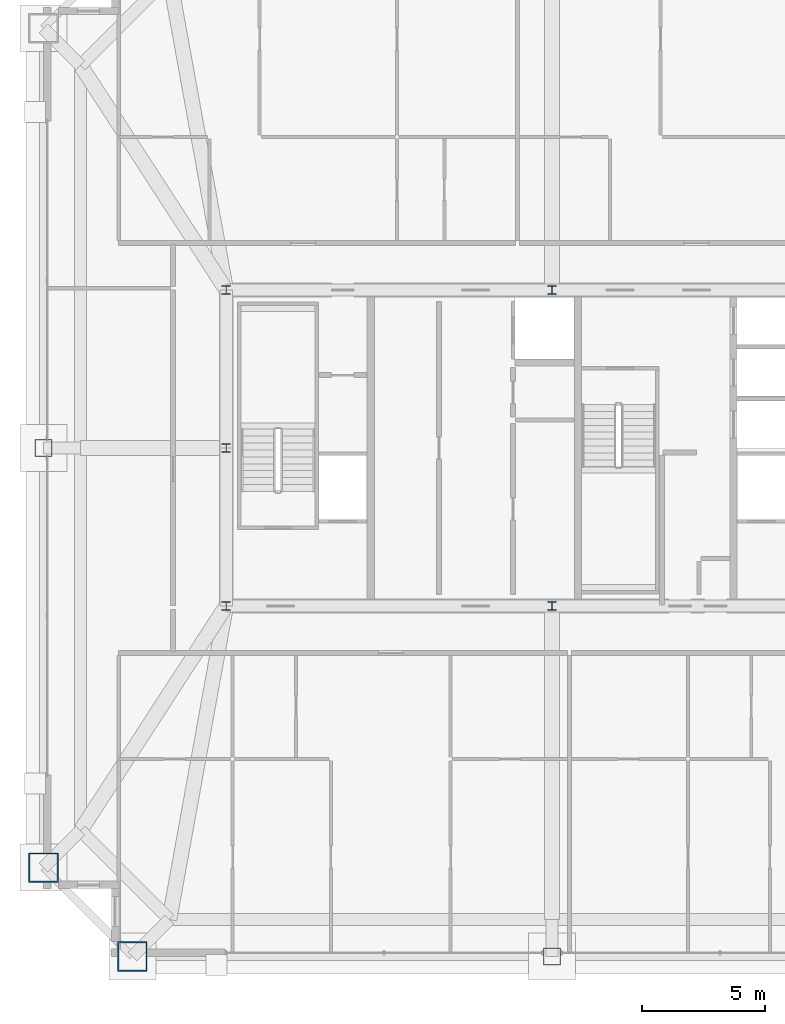
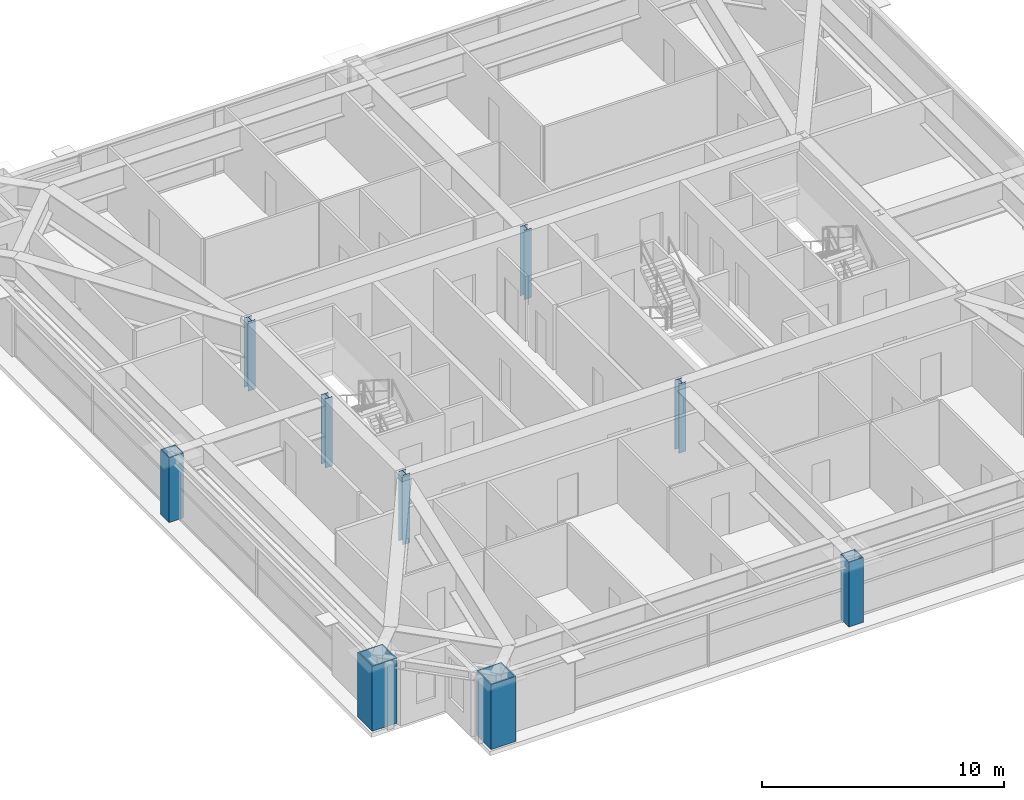
# One storey, part 1 of 33: 9 columns.
"""IFC4 building model written with IfcOpenShell, lengths in metres."""

from ifc_helpers import new_model, si_unit, direction, frame, origin, origin_2d, place, context, subcontext, project, spatial, hollow_rectangle, i_section, extrude, source, transform, mapped, material, material_profile, profile_set, type_object, element, save


model = new_model("IFC4")

# Units and contexts
model_context = context("Model", 3, precision=1e-05, world=origin(), true_north=direction((0.0, 1.0)))
body_context = subcontext(model_context, "Body", "Model", "MODEL_VIEW")
ifc_project = project(units=[si_unit("LENGTHUNIT", "METRE"), si_unit("AREAUNIT", "SQUARE_METRE"), si_unit("VOLUMEUNIT", "CUBIC_METRE"), si_unit("PLANEANGLEUNIT", "RADIAN"), si_unit("MASSUNIT", "GRAM", prefix="KILO"), si_unit("THERMODYNAMICTEMPERATUREUNIT", "KELVIN"), si_unit("POWERUNIT", "WATT")], contexts=[model_context])

# Site, building, storey
site_placement = place(None, origin())
site = spatial("IfcSite", under=ifc_project, at=site_placement, CompositionType="ELEMENT")
building_placement = place(site_placement, origin())
building = spatial("IfcBuilding", under=site, at=building_placement, Name="Yuzanri Waterfront Tower", CompositionType="ELEMENT")
storey_placement = place(building_placement, frame((0.0, 0.0, 282.10009765625)))
storey = spatial("IfcBuildingStorey", under=building, at=storey_placement, Name="L75", CompositionType="ELEMENT", Elevation=282.10009765625)

# Columns
ifc_material_1 = material(Name="Steel Q355B", Category="steel")
ifc_material_profile_1 = material_profile(ifc_material_1, i_section(OverallWidth=0.35009765625, OverallDepth=0.35009765625, WebThickness=0.011962890625, FlangeThickness=0.01904296875, at=origin_2d()), Name="HW 350x350x12x19")
ifc_profile_set_1 = profile_set([ifc_material_profile_1], Name="Steel Q355B")
column_type_1 = type_object("IfcColumnType", Name="Core Post Q355B HW 350x350x12x19", PredefinedType="COLUMN", material=ifc_profile_set_1)
shared_shape_1 = source(origin(), body_context, "Body", "SweptSolid", [
    extrude(i_section(OverallWidth=0.35009765625, OverallDepth=0.35009765625, WebThickness=0.011962890625, FlangeThickness=0.01904296875, at=origin_2d()), origin(), (0.0, 0.0, 1.0), 3.5),
])
for number, where, z_axis, x_axis, name in (
    (1, (23.800048828125, 19.39990234375, 0.0), (0.0, 0.0, 1.0), (1.0, 0.0, 0.0), "L75 Core Boundary Column CP1"),
    (2, (37.0, 19.39990234375, 0.0), (0.0, 0.0, 1.0), (1.0, 0.0, 0.0), "L75 Core Boundary Column CP2"),
    (3, (23.800048828125, 25.800048828125, 0.0), (0.0, 0.0, 1.0), (1.0, 0.0, 0.0), "L75 Core Boundary Column CP4"),
    (4, (23.800048828125, 32.199951171875, 0.0), (0.0, 0.0, 1.0), (1.0, 0.0, 0.0), "L75 Core Boundary Column CP6"),
    (5, (37.0, 32.199951171875, 0.0), (0.0, 0.0, 1.0), (1.0, 0.0, 0.0), "L75 Core Boundary Column CP7"),
):
    element("IfcColumn", number, at=place(storey_placement, frame(where, z_axis=z_axis, x_axis=x_axis)), inside=storey, type_object=column_type_1, Name=name, PredefinedType="COLUMN", context=body_context, shape_type="MappedRepresentation", body=[
        mapped(shared_shape_1, transform((0.0, 0.0, 0.0), scale=1.0)),
    ])
ifc_material_2 = material(Name="Steel Q390GJC", Category="steel")
ifc_material_profile_2 = material_profile(ifc_material_2, hollow_rectangle(XDim=1.199951171875, YDim=1.199951171875, WallThickness=0.054931640625, at=origin_2d()), Name="RHS 1200x1200x55")
ifc_profile_set_2 = profile_set([ifc_material_profile_2], Name="Steel Q390GJC")
column_type_2 = type_object("IfcColumnType", Name="Mega Column Q390GJC RHS 1200x1200x55", PredefinedType="COLUMN", material=ifc_profile_set_2)
shared_shape_2 = source(origin(), body_context, "Body", "SweptSolid", [
    extrude(hollow_rectangle(XDim=1.199951171875, YDim=1.199951171875, WallThickness=0.054931640625, at=origin_2d()), origin(), (0.0, 0.0, 1.0), 3.27978515625),
])
for number, where, z_axis, x_axis, name in (
    (6, (20.0, 5.199951171875, 0.0), (0.0, 0.0, 1.0), (1.0, 0.0, 0.0), "L75 Perimeter Mega Column S1"),
    (7, (16.39990234375, 8.800048828125, 0.0), (0.0, 0.0, 1.0), (1.0, 0.0, 0.0), "L75 Perimeter Mega Column W1"),
):
    element("IfcColumn", number, at=place(storey_placement, frame(where, z_axis=z_axis, x_axis=x_axis)), inside=storey, type_object=column_type_2, Name=name, PredefinedType="COLUMN", context=body_context, shape_type="MappedRepresentation", body=[
        mapped(shared_shape_2, transform((0.0, 0.0, 0.0), scale=1.0)),
    ])
ifc_material_3 = material(Name="Steel Q355B", Category="steel")
ifc_material_profile_3 = material_profile(ifc_material_3, hollow_rectangle(XDim=0.699951171875, YDim=0.699951171875, WallThickness=0.031982421875, at=origin_2d()), Name="RHS 700x700x32")
ifc_profile_set_3 = profile_set([ifc_material_profile_3], Name="Steel Q355B")
column_type_3 = type_object("IfcColumnType", Name="Frame Column Q355B RHS 700x700x32", PredefinedType="COLUMN", material=ifc_profile_set_3)
shared_shape_3 = source(origin(), body_context, "Body", "SweptSolid", [
    extrude(hollow_rectangle(XDim=0.699951171875, YDim=0.699951171875, WallThickness=0.031982421875, at=origin_2d()), origin(), (0.0, 0.0, 1.0), 3.27978515625),
])
for number, where, z_axis, x_axis, name in (
    (8, (37.0, 5.199951171875, 0.0), (0.0, 0.0, 1.0), (1.0, 0.0, 0.0), "L75 Perimeter Frame Column S2"),
    (9, (16.39990234375, 25.800048828125, 0.0), (0.0, 0.0, 1.0), (1.0, 0.0, 0.0), "L75 Perimeter Frame Column W2"),
):
    element("IfcColumn", number, at=place(storey_placement, frame(where, z_axis=z_axis, x_axis=x_axis)), inside=storey, type_object=column_type_3, Name=name, PredefinedType="COLUMN", context=body_context, shape_type="MappedRepresentation", body=[
        mapped(shared_shape_3, transform((0.0, 0.0, 0.0), scale=1.0)),
    ])

save(model, "model.ifc")
